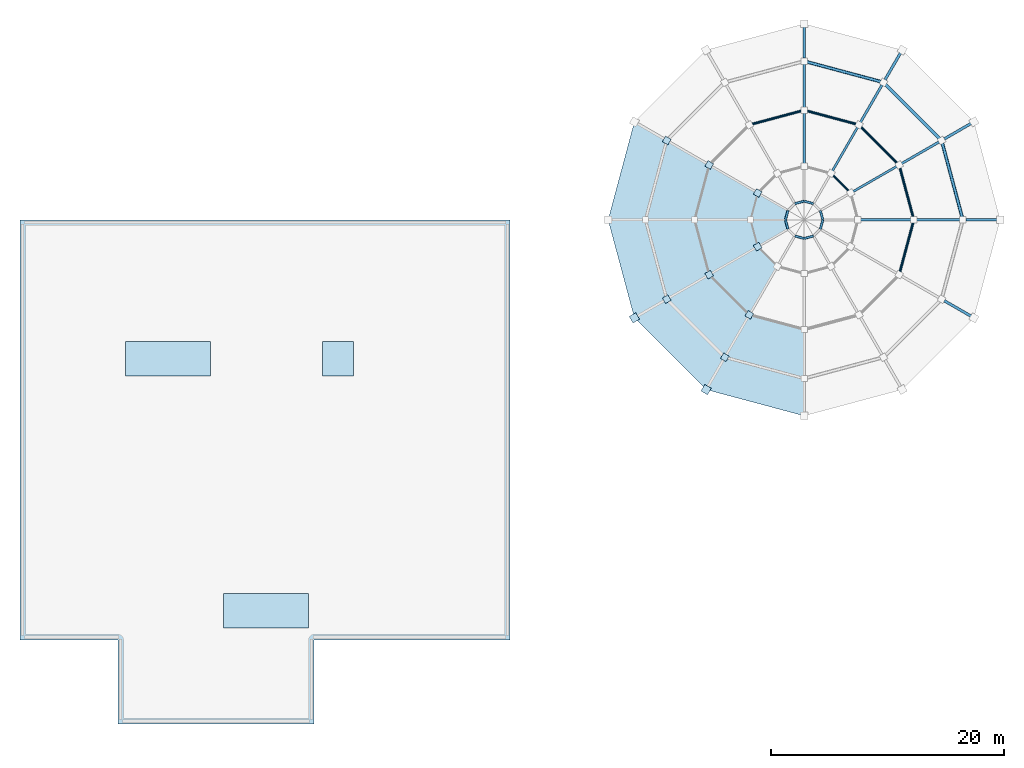
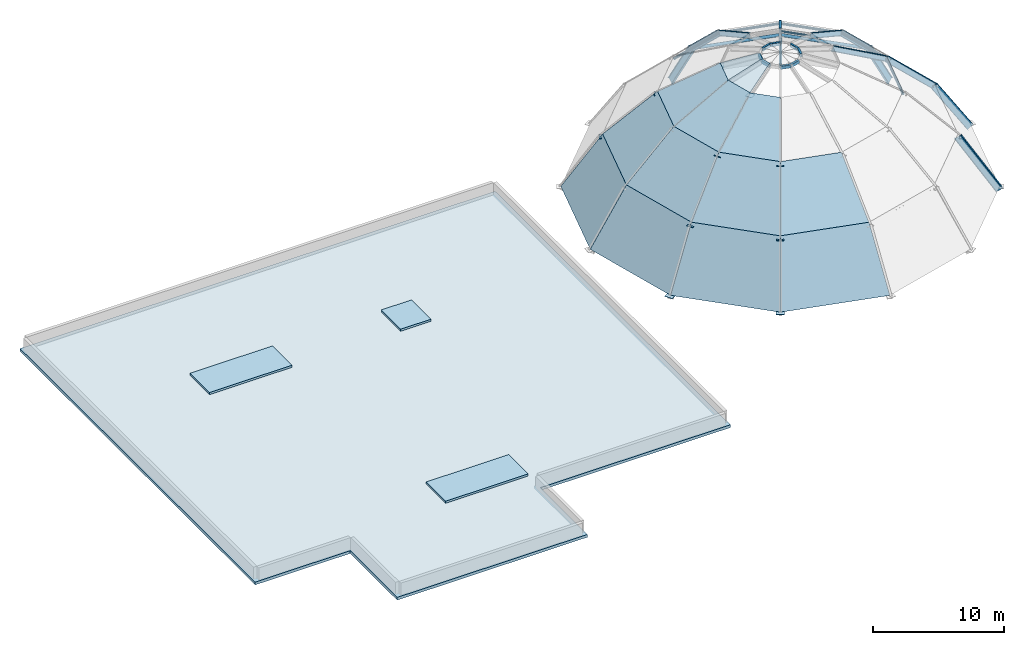
# One storey, part 2 of 5: 23 plates, 21 beams, 9 members, 4 slabs.
"""IFC4 building model written with IfcOpenShell, lengths in metres."""

from ifc_helpers import new_model, si_unit, derived_unit, direction, frame, origin, origin_2d, place, context, subcontext, project, spatial, polyline, rectangle, hollow_rectangle, hollow_circle, i_section, outline, extrude, material, layer, layer_set, material_profile, profile_set, type_object, element, save


model = new_model("IFC4")

# Units and contexts
model_context = context("Model", 3, precision=1e-05, world=origin(), true_north=direction((0.0, 1.0)))
body_context = subcontext(model_context, "Body", "Model", "MODEL_VIEW")
ifc_project = project(units=[si_unit("LENGTHUNIT", "METRE"), si_unit("AREAUNIT", "SQUARE_METRE"), si_unit("VOLUMEUNIT", "CUBIC_METRE"), si_unit("PLANEANGLEUNIT", "RADIAN"), si_unit("MASSUNIT", "GRAM", prefix="KILO"), derived_unit("THERMALTRANSMITTANCEUNIT", [(si_unit("POWERUNIT", "WATT"), 1), (si_unit("LENGTHUNIT", "METRE"), -2), (si_unit("THERMODYNAMICTEMPERATUREUNIT", "KELVIN"), -1)])], contexts=[model_context])

# Site, building, storey
site_placement = place(None, origin())
site = spatial("IfcSite", under=ifc_project, at=site_placement, CompositionType="ELEMENT")
building_placement = place(site_placement, origin())
building = spatial("IfcBuilding", under=site, at=building_placement, Name="Veybourne Emporium", CompositionType="ELEMENT")
storey_placement = place(building_placement, frame((0.0, 0.0, 36.60009765625)))
storey = spatial("IfcBuildingStorey", under=building, at=storey_placement, Name="ROOF", CompositionType="ELEMENT", Elevation=36.60009765625)

# Beams
ifc_material_1 = material(Name="Steel S355", Category="steel")
ifc_material_profile_1 = material_profile(ifc_material_1, i_section(OverallWidth=0.230224609375, OverallDepth=0.6171875, WebThickness=0.01318359375, FlangeThickness=0.022216796875, FilletRadius=0.0126953125, at=origin_2d()), Name="UKB 610x229x140")
ifc_profile_set_1 = profile_set([ifc_material_profile_1], Name="Steel S355")
beam_type_1 = type_object("IfcBeamType", Name="SteelBeam_DR-01", PredefinedType="BEAM", material=ifc_profile_set_1)
for number, where, z_axis, x_axis, name in (
    (1, (92.39990234375, 50.39990234375, -8.708740234375), (-0.540676278239, 0.0, 0.841230742513), (0.0, -1.0, 0.0), "Atrium dome radial rib DR-01 sector 1 tier 1"),
    (2, (90.149169921875, 58.800048828125, -8.708740234375), (-0.46823694335, -0.270357230792, 0.841225970023), (0.500028443584, -0.866008981251, 0.0), "Atrium dome radial rib DR-01 sector 2 tier 1"),
    (3, (84.0, 64.94921875, -8.708740234375), (-0.270357230792, -0.46823694335, 0.841225970023), (0.866008981251, -0.500028443584, 0.0), "Atrium dome radial rib DR-01 sector 3 tier 1"),
    (4, (75.60009765625, 67.199951171875, -8.708740234375), (0.0, -0.540676278239, 0.841230742513), (1.0, 0.0, 0.0), "Atrium dome radial rib DR-01 sector 4 tier 1"),
    (5, (90.149169921875, 42.0, -8.708740234375), (-0.46823694335, 0.270357230792, 0.841225970023), (-0.500028443584, -0.866008981251, 0.0), "Atrium dome radial rib DR-01 sector 12 tier 1"),
):
    element("IfcBeam", number, at=place(storey_placement, frame(where, z_axis=z_axis, x_axis=x_axis)), inside=storey, type_object=beam_type_1, Name=name, PredefinedType="BEAM", context=body_context, shape_type="SweptSolid", body=[
        extrude(i_section(OverallWidth=0.230224609375, OverallDepth=0.6171875, WebThickness=0.01318359375, FlangeThickness=0.022216796875, FilletRadius=0.0126953125, at=origin_2d()), origin(), (0.0, 0.0, 1.0), 5.91845703125),
    ])
ifc_material_profile_2 = material_profile(ifc_material_1, i_section(OverallWidth=0.209228515625, OverallDepth=0.533203125, WebThickness=0.010009765625, FlangeThickness=0.015625, FilletRadius=0.0126953125, at=origin_2d()), Name="UKB 533x210x92")
ifc_profile_set_2 = profile_set([ifc_material_profile_2], Name="Steel S355")
beam_type_2 = type_object("IfcBeamType", Name="SteelBeam_DR-02", PredefinedType="BEAM", material=ifc_profile_set_2)
beam_1_placement = place(storey_placement, frame((89.199951171875, 50.39990234375, -3.72998046875), z_axis=(-0.724133926887, 0.0, 0.689659376744), x_axis=(0.0, -1.0, 0.0)))
element("IfcBeam", 6, at=beam_1_placement, inside=storey, type_object=beam_type_2, Name="Atrium dome radial rib DR-02 sector 1 tier 2", PredefinedType="BEAM", context=body_context, shape_type="SweptSolid", body=[
    extrude(i_section(OverallWidth=0.209228515625, OverallDepth=0.533203125, WebThickness=0.010009765625, FlangeThickness=0.015625, FilletRadius=0.0126953125, at=origin_2d()), origin(), (0.0, 0.0, 1.0), 5.800048828125),
])
beam_2_placement = place(storey_placement, frame((87.3779296875, 57.199951171875, -3.72998046875), z_axis=(-0.627117152925, -0.362050921755, 0.689668910829), x_axis=(0.49998411664, -0.866034573852, 0.0)))
element("IfcBeam", 7, at=beam_2_placement, inside=storey, type_object=beam_type_2, Name="Atrium dome radial rib DR-02 sector 2 tier 2", PredefinedType="BEAM", context=body_context, shape_type="SweptSolid", body=[
    extrude(i_section(OverallWidth=0.209228515625, OverallDepth=0.533203125, WebThickness=0.010009765625, FlangeThickness=0.015625, FilletRadius=0.0126953125, at=origin_2d()), origin(), (0.0, 0.0, 1.0), 5.7998046875),
])
for number, where, z_axis, x_axis, name in (
    (8, (82.39990234375, 62.177978515625, -3.72998046875), (-0.362041364429, -0.627142691387, 0.689650705127), (0.866049104564, -0.499958946799, 0.0), "Atrium dome radial rib DR-02 sector 3 tier 2"),
    (9, (75.60009765625, 64.0, -3.72998046875), (0.0, -0.724133926887, 0.689659376744), (1.0, 0.0, 0.0), "Atrium dome radial rib DR-02 sector 4 tier 2"),
):
    element("IfcBeam", number, at=place(storey_placement, frame(where, z_axis=z_axis, x_axis=x_axis)), inside=storey, type_object=beam_type_2, Name=name, PredefinedType="BEAM", context=body_context, shape_type="SweptSolid", body=[
        extrude(i_section(OverallWidth=0.209228515625, OverallDepth=0.533203125, WebThickness=0.010009765625, FlangeThickness=0.015625, FilletRadius=0.0126953125, at=origin_2d()), origin(), (0.0, 0.0, 1.0), 5.800048828125),
    ])
ifc_material_profile_3 = material_profile(ifc_material_1, i_section(OverallWidth=0.1904296875, OverallDepth=0.45703125, WebThickness=0.009033203125, FlangeThickness=0.014404296875, FilletRadius=0.01025390625, at=origin_2d()), Name="UKB 457x191x74")
ifc_profile_set_3 = profile_set([ifc_material_profile_3], Name="Steel S355")
beam_type_3 = type_object("IfcBeamType", Name="SteelBeam_DR-03", PredefinedType="BEAM", material=ifc_profile_set_3)
for number, where, z_axis, x_axis, name in (
    (10, (85.0, 50.39990234375, 0.27001953125), (-0.875454261244, 0.0, 0.483300979174), (0.0, -1.0, 0.0), "Atrium dome radial rib DR-03 sector 1 tier 3"),
    (11, (83.74072265625, 55.10009765625, 0.27001953125), (-0.75815965252, -0.437744026777, 0.48329505306), (0.500017431331, -0.866015339567, 0.0), "Atrium dome radial rib DR-03 sector 2 tier 3"),
    (12, (80.300048828125, 58.54052734375, 0.27001953125), (-0.437758804675, -0.75814071899, 0.483311368725), (0.866002622515, -0.50003945624, 0.0), "Atrium dome radial rib DR-03 sector 3 tier 3"),
    (13, (75.60009765625, 59.800048828125, 0.27001953125), (0.0, -0.875454261244, 0.483300979174), (1.0, 0.0, 0.0), "Atrium dome radial rib DR-03 sector 4 tier 3"),
):
    element("IfcBeam", number, at=place(storey_placement, frame(where, z_axis=z_axis, x_axis=x_axis)), inside=storey, type_object=beam_type_3, Name=name, PredefinedType="BEAM", context=body_context, shape_type="SweptSolid", body=[
        extrude(i_section(OverallWidth=0.1904296875, OverallDepth=0.45703125, WebThickness=0.009033203125, FlangeThickness=0.014404296875, FilletRadius=0.01025390625, at=origin_2d()), origin(), (0.0, 0.0, 1.0), 5.48291015625),
    ])
ifc_material_profile_4 = material_profile(ifc_material_1, hollow_rectangle(XDim=0.199951171875, YDim=0.300048828125, WallThickness=0.010009765625, InnerFilletRadius=0.014892578125, OuterFilletRadius=0.02490234375, at=origin_2d()), Name="RHS 300x200x10")
ifc_profile_set_4 = profile_set([ifc_material_profile_4], Name="Steel S355")
beam_type_4 = type_object("IfcBeamType", Name="SteelBeam_DR-05", PredefinedType="BEAM", material=ifc_profile_set_4)
beam_3_placement = place(storey_placement, frame((77.199951171875, 50.39990234375, 3.869873046875), z_axis=(-0.258799930484, 0.965930947833, 0.0), x_axis=(-0.965930947833, -0.258799930484, 0.0)))
element("IfcBeam", 14, at=beam_3_placement, inside=storey, type_object=beam_type_4, Name="Dome crown compression ring DR-05.01", PredefinedType="BEAM", context=body_context, shape_type="SweptSolid", body=[
    extrude(hollow_rectangle(XDim=0.199951171875, YDim=0.300048828125, WallThickness=0.010009765625, InnerFilletRadius=0.014892578125, OuterFilletRadius=0.02490234375, at=origin_2d()), origin(), (0.0, 0.0, 1.0), 0.828369140625),
])
beam_4_placement = place(storey_placement, frame((76.39990234375, 51.78564453125, 3.869873046875), z_axis=(-0.965911197089, 0.25887363585, 0.0), x_axis=(-0.25887363585, -0.965911197089, 0.0)))
element("IfcBeam", 15, at=beam_4_placement, inside=storey, type_object=beam_type_4, Name="Dome crown compression ring DR-05.03", PredefinedType="BEAM", context=body_context, shape_type="SweptSolid", body=[
    extrude(hollow_rectangle(XDim=0.199951171875, YDim=0.300048828125, WallThickness=0.010009765625, InnerFilletRadius=0.014892578125, OuterFilletRadius=0.02490234375, at=origin_2d()), origin(), (0.0, 0.0, 1.0), 0.828125),
])
for number, where, z_axis, x_axis, name in (
    (16, (75.60009765625, 52.0, 3.869873046875), (-0.965930947833, -0.258799930484, 0.0), (0.258799930484, -0.965930947833, 0.0), "Dome crown compression ring DR-05.04"),
    (17, (74.21435546875, 51.199951171875, 3.869873046875), (-0.258799930484, -0.965930947833, 0.0), (0.965930947833, -0.258799930484, 0.0), "Dome crown compression ring DR-05.06"),
):
    element("IfcBeam", number, at=place(storey_placement, frame(where, z_axis=z_axis, x_axis=x_axis)), inside=storey, type_object=beam_type_4, Name=name, PredefinedType="BEAM", context=body_context, shape_type="SweptSolid", body=[
        extrude(hollow_rectangle(XDim=0.199951171875, YDim=0.300048828125, WallThickness=0.010009765625, InnerFilletRadius=0.014892578125, OuterFilletRadius=0.02490234375, at=origin_2d()), origin(), (0.0, 0.0, 1.0), 0.828369140625),
    ])
beam_5_placement = place(storey_placement, frame((74.0, 50.39990234375, 3.869873046875), z_axis=(0.25887363585, -0.965911197089, 0.0), x_axis=(0.965911197089, 0.25887363585, 0.0)))
element("IfcBeam", 18, at=beam_5_placement, inside=storey, type_object=beam_type_4, Name="Dome crown compression ring DR-05.07", PredefinedType="BEAM", context=body_context, shape_type="SweptSolid", body=[
    extrude(hollow_rectangle(XDim=0.199951171875, YDim=0.300048828125, WallThickness=0.010009765625, InnerFilletRadius=0.014892578125, OuterFilletRadius=0.02490234375, at=origin_2d()), origin(), (0.0, 0.0, 1.0), 0.828125),
])
beam_6_placement = place(storey_placement, frame((74.800048828125, 49.014404296875, 3.869873046875), z_axis=(0.965930947833, -0.258799930484, 0.0), x_axis=(0.258799930484, 0.965930947833, 0.0)))
element("IfcBeam", 19, at=beam_6_placement, inside=storey, type_object=beam_type_4, Name="Dome crown compression ring DR-05.09", PredefinedType="BEAM", context=body_context, shape_type="SweptSolid", body=[
    extrude(hollow_rectangle(XDim=0.199951171875, YDim=0.300048828125, WallThickness=0.010009765625, InnerFilletRadius=0.014892578125, OuterFilletRadius=0.02490234375, at=origin_2d()), origin(), (0.0, 0.0, 1.0), 0.828369140625),
])
for number, where, z_axis, x_axis, name in (
    (20, (75.60009765625, 48.800048828125, 3.869873046875), (0.965911197089, 0.25887363585, 0.0), (-0.25887363585, 0.965911197089, 0.0), "Dome crown compression ring DR-05.10"),
    (21, (76.985595703125, 49.60009765625, 3.869873046875), (0.25887363585, 0.965911197089, 0.0), (-0.965911197089, 0.25887363585, 0.0), "Dome crown compression ring DR-05.12"),
):
    element("IfcBeam", number, at=place(storey_placement, frame(where, z_axis=z_axis, x_axis=x_axis)), inside=storey, type_object=beam_type_4, Name=name, PredefinedType="BEAM", context=body_context, shape_type="SweptSolid", body=[
        extrude(hollow_rectangle(XDim=0.199951171875, YDim=0.300048828125, WallThickness=0.010009765625, InnerFilletRadius=0.014892578125, OuterFilletRadius=0.02490234375, at=origin_2d()), origin(), (0.0, 0.0, 1.0), 0.828125),
    ])

# Members
ifc_material_profile_5 = material_profile(ifc_material_1, hollow_circle(Radius=0.136474609375, WallThickness=0.010009765625, at=origin_2d()), Name="CHS 273.0x10.0")
ifc_profile_set_5 = profile_set([ifc_material_profile_5], Name="Steel S355")
member_type_1 = type_object("IfcMemberType", Name="SteelMem_DP-01", PredefinedType="PURLIN", material=ifc_profile_set_5)
member_1_placement = place(storey_placement, frame((89.199951171875, 50.39990234375, -3.72998046875), z_axis=(-0.258812934373, 0.965927463633, 0.0), x_axis=(-0.965927463633, -0.258812934373, 0.0)))
element("IfcMember", 22, at=member_1_placement, inside=storey, type_object=member_type_1, Name="Atrium dome ring purlin DP-01 sector 1", PredefinedType="PURLIN", context=body_context, shape_type="SweptSolid", body=[
    extrude(hollow_circle(Radius=0.136474609375, WallThickness=0.010009765625, at=origin_2d()), origin(), (0.0, 0.0, 1.0), 7.039794921875),
])
member_2_placement = place(storey_placement, frame((87.3779296875, 57.199951171875, -3.72998046875), z_axis=(-0.707106781187, 0.707106781187, 0.0), x_axis=(-0.707106781187, -0.707106781187, 0.0)))
element("IfcMember", 23, at=member_2_placement, inside=storey, type_object=member_type_1, Name="Atrium dome ring purlin DP-01 sector 2", PredefinedType="PURLIN", context=body_context, shape_type="SweptSolid", body=[
    extrude(hollow_circle(Radius=0.136474609375, WallThickness=0.010009765625, at=origin_2d()), origin(), (0.0, 0.0, 1.0), 7.0400390625),
])
member_3_placement = place(storey_placement, frame((82.39990234375, 62.177978515625, -3.72998046875), z_axis=(-0.965925140542, 0.258821604332, 0.0), x_axis=(-0.258821604332, -0.965925140542, 0.0)))
element("IfcMember", 24, at=member_3_placement, inside=storey, type_object=member_type_1, Name="Atrium dome ring purlin DP-01 sector 3", PredefinedType="PURLIN", context=body_context, shape_type="SweptSolid", body=[
    extrude(hollow_circle(Radius=0.136474609375, WallThickness=0.010009765625, at=origin_2d()), origin(), (0.0, 0.0, 1.0), 7.039794921875),
])
ifc_material_profile_6 = material_profile(ifc_material_1, hollow_circle(Radius=0.109619140625, WallThickness=0.010009765625, at=origin_2d()), Name="CHS 219.1x10.0")
ifc_profile_set_6 = profile_set([ifc_material_profile_6], Name="Steel S355")
member_type_2 = type_object("IfcMemberType", Name="SteelMem_DP-02", PredefinedType="PURLIN", material=ifc_profile_set_6)
member_4_placement = place(storey_placement, frame((85.0, 50.39990234375, 0.27001953125), z_axis=(-0.258792930722, 0.965932823238, 0.0), x_axis=(-0.965932823238, -0.258792930722, 0.0)))
element("IfcMember", 25, at=member_4_placement, inside=storey, type_object=member_type_2, Name="Atrium dome ring purlin DP-02 sector 1", PredefinedType="PURLIN", context=body_context, shape_type="SweptSolid", body=[
    extrude(hollow_circle(Radius=0.109619140625, WallThickness=0.010009765625, at=origin_2d()), origin(), (0.0, 0.0, 1.0), 4.865966796875),
])
for number, where, z_axis, x_axis, name in (
    (26, (83.74072265625, 55.10009765625, 0.27001953125), (-0.707131868795, 0.707081692688, 0.0), (-0.707081692688, -0.707131868795, 0.0), "Atrium dome ring purlin DP-02 sector 2"),
    (27, (80.300048828125, 58.54052734375, 0.27001953125), (-0.965916918462, 0.258852287276, 0.0), (-0.258852287276, -0.965916918462, 0.0), "Atrium dome ring purlin DP-02 sector 3"),
):
    element("IfcMember", number, at=place(storey_placement, frame(where, z_axis=z_axis, x_axis=x_axis)), inside=storey, type_object=member_type_2, Name=name, PredefinedType="PURLIN", context=body_context, shape_type="SweptSolid", body=[
        extrude(hollow_circle(Radius=0.109619140625, WallThickness=0.010009765625, at=origin_2d()), origin(), (0.0, 0.0, 1.0), 4.86572265625),
    ])
member_5_placement = place(storey_placement, frame((75.60009765625, 59.800048828125, 0.27001953125), z_axis=(-0.965920280162, -0.258839742643, 0.0), x_axis=(0.258839742643, -0.965920280162, 0.0)))
element("IfcMember", 28, at=member_5_placement, inside=storey, type_object=member_type_2, Name="Atrium dome ring purlin DP-02 sector 4", PredefinedType="PURLIN", context=body_context, shape_type="SweptSolid", body=[
    extrude(hollow_circle(Radius=0.109619140625, WallThickness=0.010009765625, at=origin_2d()), origin(), (0.0, 0.0, 1.0), 4.865966796875),
])
member_6_placement = place(storey_placement, frame((83.74072265625, 45.699951171875, 0.27001953125), z_axis=(0.258805473412, 0.96592946271, 0.0), x_axis=(-0.96592946271, 0.258805473412, 0.0)))
element("IfcMember", 29, at=member_6_placement, inside=storey, type_object=member_type_2, Name="Atrium dome ring purlin DP-02 sector 12", PredefinedType="PURLIN", context=body_context, shape_type="SweptSolid", body=[
    extrude(hollow_circle(Radius=0.109619140625, WallThickness=0.010009765625, at=origin_2d()), origin(), (0.0, 0.0, 1.0), 4.86572265625),
])
ifc_material_profile_7 = material_profile(ifc_material_1, hollow_circle(Radius=0.084228515625, WallThickness=0.008056640625, at=origin_2d()), Name="CHS 168.3x8.0")
ifc_profile_set_7 = profile_set([ifc_material_profile_7], Name="Steel S355")
member_type_3 = type_object("IfcMemberType", Name="SteelMem_DP-03", PredefinedType="PURLIN", material=ifc_profile_set_7)
member_7_placement = place(storey_placement, frame((79.583740234375, 52.699951171875, 2.919921875), z_axis=(-0.707106781187, 0.707106781187, 0.0), x_axis=(-0.707106781187, -0.707106781187, 0.0)))
element("IfcMember", 30, at=member_7_placement, inside=storey, type_object=member_type_3, Name="Atrium dome ring purlin DP-03 sector 2", PredefinedType="PURLIN", context=body_context, shape_type="SweptSolid", body=[
    extrude(hollow_circle(Radius=0.084228515625, WallThickness=0.008056640625, at=origin_2d()), origin(), (0.0, 0.0, 1.0), 2.38134765625),
])

# Plates
ifc_material_2 = material(Name="Solar Control Laminated Glass", Category="glass")
ifc_layer_1 = layer(ifc_material_2, 0.031982421875)
ifc_layer_set_1 = layer_set([ifc_layer_1], Name="Solar Control Laminated Glass")
plate_type_1 = type_object("IfcPlateType", Name="GlazingPlate_DG-01", PredefinedType="SHEET", material=ifc_layer_set_1)
plate_1_placement = place(storey_placement, frame((61.05078125, 58.800048828125, -8.3740234375), z_axis=(-0.816962921341, 0.218897774716, 0.533531020071), x_axis=(-0.258811250046, -0.965927914934, 5.17686e-07)))
element("IfcPlate", 31, at=plate_1_placement, inside=storey, type_object=plate_type_1, Name="Atrium dome laminated glazing panel DG-01 sector 6 tier 1", PredefinedType="SHEET", context=body_context, shape_type="SweptSolid", body=[
    extrude(outline(polyline([(0.0, 0.0), (8.696450850419716, -2.220446049250313e-16), (7.868270024153427, 5.793345061327231), (0.8283533801693314, 5.793354693261335), (0.0, 0.0)])), origin(), (0.0, 0.0, -1.0), 0.031982421875),
])
plate_2_placement = place(storey_placement, frame((58.800048828125, 50.39990234375, -8.3740234375), z_axis=(-0.816961163334, -0.218904335615, 0.533531020141), x_axis=(0.258818796952, -0.96592589278, -8.6286e-07)))
element("IfcPlate", 32, at=plate_2_placement, inside=storey, type_object=plate_type_1, Name="Atrium dome laminated glazing panel DG-01 sector 7 tier 1", PredefinedType="SHEET", context=body_context, shape_type="SweptSolid", body=[
    extrude(outline(polyline([(0.0, 0.0), (8.696215028345277, 0.0), (7.867884106792175, 5.793357904414631), (0.8282032846798882, 5.7933418507557946), (0.0, 0.0)])), origin(), (0.0, 0.0, -1.0), 0.031982421875),
])
plate_3_placement = place(storey_placement, frame((61.05078125, 42.0, -8.3740234375), z_axis=(-0.59805322622, -0.59805322622, 0.533539761608), x_axis=(0.707106781187, -0.707106781187, 0.0)))
element("IfcPlate", 33, at=plate_3_placement, inside=storey, type_object=plate_type_1, Name="Atrium dome laminated glazing panel DG-01 sector 8 tier 1", PredefinedType="SHEET", context=body_context, shape_type="SweptSolid", body=[
    extrude(outline(polyline([(0.0, 0.0), (8.69623950085233, 0.0), (7.868116642123847, 5.793387649320011), (0.8281228587284835, 5.793387649320012), (0.0, 0.0)])), origin(), (0.0, 0.0, -1.0), 0.031982421875),
])
plate_4_placement = place(storey_placement, frame((67.199951171875, 35.850830078125, -8.3740234375), z_axis=(-0.218897774716, -0.816962921341, 0.533531020071), x_axis=(0.965927914934, -0.258811250046, 5.17686e-07)))
element("IfcPlate", 34, at=plate_4_placement, inside=storey, type_object=plate_type_1, Name="Atrium dome laminated glazing panel DG-01 sector 9 tier 1", PredefinedType="SHEET", context=body_context, shape_type="SweptSolid", body=[
    extrude(outline(polyline([(0.0, 0.0), (8.696450850419716, -2.220446049250313e-16), (7.868270024153427, 5.793345061327231), (0.8283533801693314, 5.793354693261335), (0.0, 0.0)])), origin(), (0.0, 0.0, -1.0), 0.031982421875),
])
ifc_layer_2 = layer(ifc_material_2, 0.030029296875)
ifc_layer_set_2 = layer_set([ifc_layer_2], Name="Solar Control Laminated Glass")
plate_type_2 = type_object("IfcPlateType", Name="GlazingPlate_DG-02", PredefinedType="SHEET", material=ifc_layer_set_2)
plate_5_placement = place(storey_placement, frame((63.822021484375, 57.199951171875, -3.47607421875), z_axis=(-0.678169927011, 0.181718730893, 0.712084161417), x_axis=(-0.258818335336, -0.965926016454, 5.671048e-06)))
element("IfcPlate", 35, at=plate_5_placement, inside=storey, type_object=plate_type_2, Name="Atrium dome laminated glazing panel DG-02 sector 6 tier 2", PredefinedType="SHEET", context=body_context, shape_type="SweptSolid", body=[
    extrude(outline(polyline([(0.0, 0.0), (7.039916643772486, -2.220446049250313e-16), (5.952914957167557, 5.697193798380814), (1.0868867685051185, 5.697289966656303), (0.0, 0.0)])), origin(), (0.0, 0.0, -1.0), 0.030029296875),
])
plate_6_placement = place(storey_placement, frame((62.0, 50.39990234375, -3.47607421875), z_axis=(-0.678167998106, -0.181725929815, 0.712084161302), x_axis=(0.258827785858, -0.965923484146, -6.490662e-06)))
element("IfcPlate", 36, at=plate_6_placement, inside=storey, type_object=plate_type_2, Name="Atrium dome laminated glazing panel DG-02 sector 7 tier 2", PredefinedType="SHEET", context=body_context, shape_type="SweptSolid", body=[
    extrude(outline(polyline([(0.0, 0.0), (7.039680821852201, 2.220446049250313e-16), (5.952830468179701, 5.697296913402186), (1.0870380998824054, 5.697186850667693), (0.0, 0.0)])), origin(), (0.0, 0.0, -1.0), 0.030029296875),
])
plate_7_placement = place(storey_placement, frame((63.822021484375, 43.60009765625, -3.47607421875), z_axis=(-0.496469843075, -0.49645544555, 0.712074213478), x_axis=(0.707101726869, -0.707111835431, 7.249334e-06)))
element("IfcPlate", 37, at=plate_7_placement, inside=storey, type_object=plate_type_2, Name="Atrium dome laminated glazing panel DG-02 sector 8 tier 2", PredefinedType="SHEET", context=body_context, shape_type="SweptSolid", body=[
    extrude(outline(polyline([(0.0, 0.0), (7.0399937830305355, 0.0), (5.95292068772444, 5.697098547118696), (1.0872457287976052, 5.6972214749763825), (0.0, 0.0)])), origin(), (0.0, 0.0, -1.0), 0.030029296875),
])
plate_8_placement = place(storey_placement, frame((68.800048828125, 38.6220703125, -3.47607421875), z_axis=(-0.181707976117, -0.67818352072, 0.712073959388), x_axis=(0.965928543459, -0.25880890424, -4.231534e-06)))
element("IfcPlate", 38, at=plate_8_placement, inside=storey, type_object=plate_type_2, Name="Atrium dome laminated glazing panel DG-02 sector 9 tier 2", PredefinedType="SHEET", context=body_context, shape_type="SweptSolid", body=[
    extrude(outline(polyline([(0.0, 0.0), (7.039916643871438, 0.0), (5.952914957083882, 5.697193798468244), (1.086949955439302, 5.697122042564775), (0.0, 0.0)])), origin(), (0.0, 0.0, -1.0), 0.030029296875),
])
ifc_layer_3 = layer(ifc_material_2, 0.028076171875)
ifc_layer_set_3 = layer_set([ifc_layer_3], Name="Solar Control Laminated Glass")
plate_type_3 = type_object("IfcPlateType", Name="GlazingPlate_DG-03", PredefinedType="SHEET", material=ifc_layer_set_3)
plate_9_placement = place(storey_placement, frame((67.45947265625, 55.10009765625, 0.52197265625), z_axis=(-0.479305587374, 0.128431096425, 0.868200211578), x_axis=(-0.25883536456, -0.965921453323, -7.930351e-06)))
element("IfcPlate", 39, at=plate_9_placement, inside=storey, type_object=plate_type_3, Name="Atrium dome laminated glazing panel DG-03 sector 6 tier 3", PredefinedType="SHEET", context=body_context, shape_type="SweptSolid", body=[
    extrude(outline(polyline([(0.0, 0.0), (4.866028189732731, -2.220446049250313e-16), (3.623584786742711, 5.340298266219494), (1.2424210973119794, 5.3401824436677385), (0.0, 0.0)])), origin(), (0.0, 0.0, -1.0), 0.028076171875),
])
plate_10_placement = place(storey_placement, frame((66.199951171875, 50.39990234375, 0.52197265625), z_axis=(-0.479303347503, -0.128439455159, 0.868200211605), x_axis=(0.258848968076, -0.965917807937, 6.012342e-06)))
element("IfcPlate", 40, at=plate_10_placement, inside=storey, type_object=plate_type_3, Name="Atrium dome laminated glazing panel DG-03 sector 7 tier 3", PredefinedType="SHEET", context=body_context, shape_type="SweptSolid", body=[
    extrude(outline(polyline([(0.0, 0.0), (4.86579236984851, -2.220446049250313e-16), (3.623431485714782, 5.340196452296269), (1.2425036179924982, 5.340284256660507), (0.0, 0.0)])), origin(), (0.0, 0.0, -1.0), 0.028076171875),
])
plate_11_placement = place(storey_placement, frame((67.45947265625, 45.699951171875, 0.52197265625), z_axis=(-0.35087862696, -0.350861910494, 0.868205107625), x_axis=(0.707083722525, -0.707129839078, -5.022547e-06)))
element("IfcPlate", 41, at=plate_11_placement, inside=storey, type_object=plate_type_3, Name="Atrium dome laminated glazing panel DG-03 sector 8 tier 3", PredefinedType="SHEET", context=body_context, shape_type="SweptSolid", body=[
    extrude(outline(polyline([(0.0, 0.0), (4.865674960926119, -4.440892098500626e-16), (3.623239851412445, 5.340369222394891), (1.241933470949004, 5.340295869109022), (0.0, 0.0)])), origin(), (0.0, 0.0, -1.0), 0.028076171875),
])
ifc_layer_4 = layer(ifc_material_2, 0.02587890625)
ifc_layer_set_4 = layer_set([ifc_layer_4], Name="Solar Control Laminated Glass")
plate_type_4 = type_object("IfcPlateType", Name="GlazingPlate_DG-04", PredefinedType="SHEET", material=ifc_layer_set_4)
plate_12_placement = place(storey_placement, frame((71.6162109375, 52.699951171875, 3.169921875), z_axis=(-0.300894240215, 0.08061444363, 0.950244162141), x_axis=(-0.2587859845, -0.965934684244, 1.131255e-06)))
element("IfcPlate", 42, at=plate_12_placement, inside=storey, type_object=plate_type_4, Name="Atrium dome laminated glazing panel DG-04 sector 6 tier 4", PredefinedType="SHEET", context=body_context, shape_type="SweptSolid", body=[
    extrude(outline(polyline([(0.0, 0.0), (2.3811636926607505, -1.1102230246251565e-16), (1.6048068137994433, 3.049537214985805), (0.776539710611506, 3.049548870250538), (0.0, 0.0)])), origin(), (0.0, 0.0, -1.0), 0.02587890625),
])
plate_13_placement = place(storey_placement, frame((71.0, 50.39990234375, 3.169921875), z_axis=(-0.30089106547, -0.080626292118, 0.950244162171), x_axis=(0.258812820034, -0.965927494257, -4.932563e-06)))
element("IfcPlate", 43, at=plate_13_placement, inside=storey, type_object=plate_type_4, Name="Atrium dome laminated glazing panel DG-04 sector 7 tier 4", PredefinedType="SHEET", context=body_context, shape_type="SweptSolid", body=[
    extrude(outline(polyline([(0.0, 0.0), (2.3809278695476803, 1.1102230246251565e-16), (1.6044650554573048, 3.04956845018981), (0.7764337744084833, 3.049517637717765), (0.0, 0.0)])), origin(), (0.0, 0.0, -1.0), 0.02587890625),
])
ifc_layer_5 = layer(ifc_material_1, 0.034912109375)
ifc_layer_set_5 = layer_set([ifc_layer_5], Name="Steel S355")
plate_type_5 = type_object("IfcPlateType", Name="NodePlate_BP-01", PredefinedType="USERDEFINED", material=ifc_layer_set_5)
for number, where, z_axis, x_axis, name in (
    (44, (61.05078125, 42.0, -8.39990234375), (0.0, 0.0, 1.0), (-0.866025403784, -0.5, 0.0), "Dome rib base shoe plate BP-01.08"),
    (45, (67.199951171875, 35.850830078125, -8.39990234375), (0.0, 0.0, 1.0), (-0.5, -0.866025403784, 0.0), "Dome rib base shoe plate BP-01.09"),
):
    element("IfcPlate", number, at=place(storey_placement, frame(where, z_axis=z_axis, x_axis=x_axis)), inside=storey, type_object=plate_type_5, Name=name, ObjectType="BASE_PLATE", PredefinedType="USERDEFINED", context=body_context, shape_type="SweptSolid", body=[
        extrude(rectangle(XDim=0.64990234375, YDim=0.64990234375, at=origin_2d()), origin(), (0.0, 0.0, 1.0), 0.034912109375),
    ])
ifc_layer_6 = layer(ifc_material_1, 0.02490234375)
ifc_layer_set_6 = layer_set([ifc_layer_6], Name="Steel S355")
plate_type_6 = type_object("IfcPlateType", Name="NodePlate_GP-01", PredefinedType="USERDEFINED", material=ifc_layer_set_6)
for number, where, z_axis, x_axis, name in (
    (46, (63.822021484375, 57.199951171875, -3.742431640625), (0.0, 0.0, 1.0), (-0.866025403784, 0.5, 0.0), "Dome ring node gusset plate GP-01.1.06"),
    (47, (67.45947265625, 55.10009765625, 0.257568359375), (0.0, 0.0, 1.0), (-0.866025403784, 0.5, 0.0), "Dome ring node gusset plate GP-01.2.06"),
    (48, (71.6162109375, 52.699951171875, 2.907470703125), (0.0, 0.0, 1.0), (-0.866025403784, 0.5, 0.0), "Dome ring node gusset plate GP-01.3.06"),
    (49, (63.822021484375, 43.60009765625, -3.742431640625), (0.0, 0.0, 1.0), (-0.866025403784, -0.5, 0.0), "Dome ring node gusset plate GP-01.1.08"),
    (50, (67.45947265625, 45.699951171875, 0.257568359375), (0.0, 0.0, 1.0), (-0.866025403784, -0.5, 0.0), "Dome ring node gusset plate GP-01.2.08"),
    (51, (71.6162109375, 48.10009765625, 2.907470703125), (0.0, 0.0, 1.0), (-0.866025403784, -0.5, 0.0), "Dome ring node gusset plate GP-01.3.08"),
    (52, (68.800048828125, 38.6220703125, -3.742431640625), (0.0, 0.0, 1.0), (-0.5, -0.866025403784, 0.0), "Dome ring node gusset plate GP-01.1.09"),
    (53, (70.89990234375, 42.25927734375, 0.257568359375), (0.0, 0.0, 1.0), (-0.5, -0.866025403784, 0.0), "Dome ring node gusset plate GP-01.2.09"),
):
    element("IfcPlate", number, at=place(storey_placement, frame(where, z_axis=z_axis, x_axis=x_axis)), inside=storey, type_object=plate_type_6, Name=name, ObjectType="GUSSET_PLATE", PredefinedType="USERDEFINED", context=body_context, shape_type="SweptSolid", body=[
        extrude(rectangle(XDim=0.550048828125, YDim=0.550048828125, at=origin_2d()), origin(), (0.0, 0.0, 1.0), 0.02490234375),
    ])

# Slabs
ifc_material_3 = material(Name="Concrete C32/40", Category="concrete")
ifc_layer_7 = layer(ifc_material_3, 0.260009765625)
ifc_layer_set_7 = layer_set([ifc_layer_7], Name="Concrete C32/40")
slab_type_1 = type_object("IfcSlabType", Name="Slab_RS-01", PredefinedType="ROOF", material=ifc_layer_set_7)
slab_1_placement = place(storey_placement, frame((0.0, 0.0, -0.260009765625)))
element("IfcSlab", 54, at=slab_1_placement, inside=storey, type_object=slab_type_1, Name="ROOF flat roof slab 1", PredefinedType="ROOF", context=body_context, shape_type="SweptSolid", body=[
    extrude(outline(polyline([(16.800048828125, 7.199951171875), (16.800048828125, 14.39990234375), (8.39990234375, 14.39990234375), (8.39990234375, 21.60009765625), (8.39990234375, 28.800048828125), (8.39990234375, 36.0), (8.39990234375, 43.199951171875), (8.39990234375, 50.39990234375), (16.800048828125, 50.39990234375), (25.199951171875, 50.39990234375), (33.60009765625, 50.39990234375), (42.0, 50.39990234375), (50.39990234375, 50.39990234375), (50.39990234375, 43.199951171875), (50.39990234375, 36.0), (50.39990234375, 28.800048828125), (50.39990234375, 21.60009765625), (50.39990234375, 14.39990234375), (42.0, 14.39990234375), (33.60009765625, 14.39990234375), (33.60009765625, 7.199951171875), (25.199951171875, 7.199951171875), (16.800048828125, 7.199951171875)])), origin(), (0.0, 0.0, 1.0), 0.260009765625),
])
ifc_layer_8 = layer(ifc_material_3, 0.199951171875)
ifc_layer_set_8 = layer_set([ifc_layer_8], Name="Concrete C32/40")
slab_type_2 = type_object("IfcSlabType", Name="Slab_RS-04", PredefinedType="ROOF", material=ifc_layer_set_8)
slab_2_placement = place(storey_placement, frame((0.0, 0.0, 0.64990234375)))
element("IfcSlab", 55, at=slab_2_placement, inside=storey, type_object=slab_type_2, Name="Lift core C1 overrun cap slab", PredefinedType="ROOF", context=body_context, shape_type="SweptSolid", body=[
    extrude(outline(polyline([(25.820068359375, 15.409912109375), (33.1201171875, 15.409912109375), (33.1201171875, 18.389892578125), (25.820068359375, 18.389892578125), (25.820068359375, 15.409912109375)])), origin(), (0.0, 0.0, 1.0), 0.199951171875),
])
slab_3_placement = place(storey_placement, frame((0.0, 0.0, 0.64990234375)))
element("IfcSlab", 56, at=slab_3_placement, inside=storey, type_object=slab_type_2, Name="Lift core C2 overrun cap slab", PredefinedType="ROOF", context=body_context, shape_type="SweptSolid", body=[
    extrude(outline(polyline([(17.419921875, 37.010009765625), (24.719970703125, 37.010009765625), (24.719970703125, 39.989990234375), (17.419921875, 39.989990234375), (17.419921875, 37.010009765625)])), origin(), (0.0, 0.0, 1.0), 0.199951171875),
])
slab_4_placement = place(storey_placement, frame((0.0, 0.0, 0.64990234375)))
element("IfcSlab", 57, at=slab_4_placement, inside=storey, type_object=slab_type_2, Name="Lift core C3 overrun cap slab", PredefinedType="ROOF", context=body_context, shape_type="SweptSolid", body=[
    extrude(outline(polyline([(34.320068359375, 37.010009765625), (37.0, 37.010009765625), (37.0, 39.989990234375), (34.320068359375, 39.989990234375), (34.320068359375, 37.010009765625)])), origin(), (0.0, 0.0, 1.0), 0.199951171875),
])

save(model, "model.ifc")
